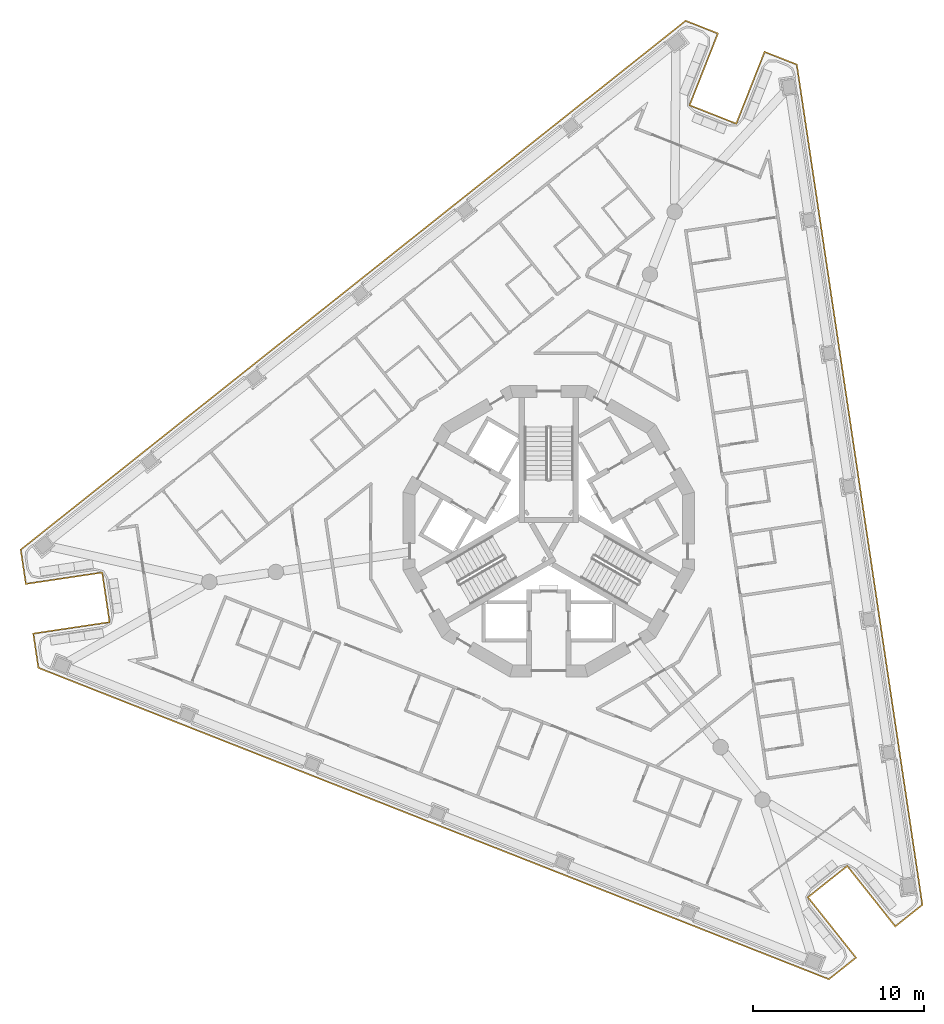
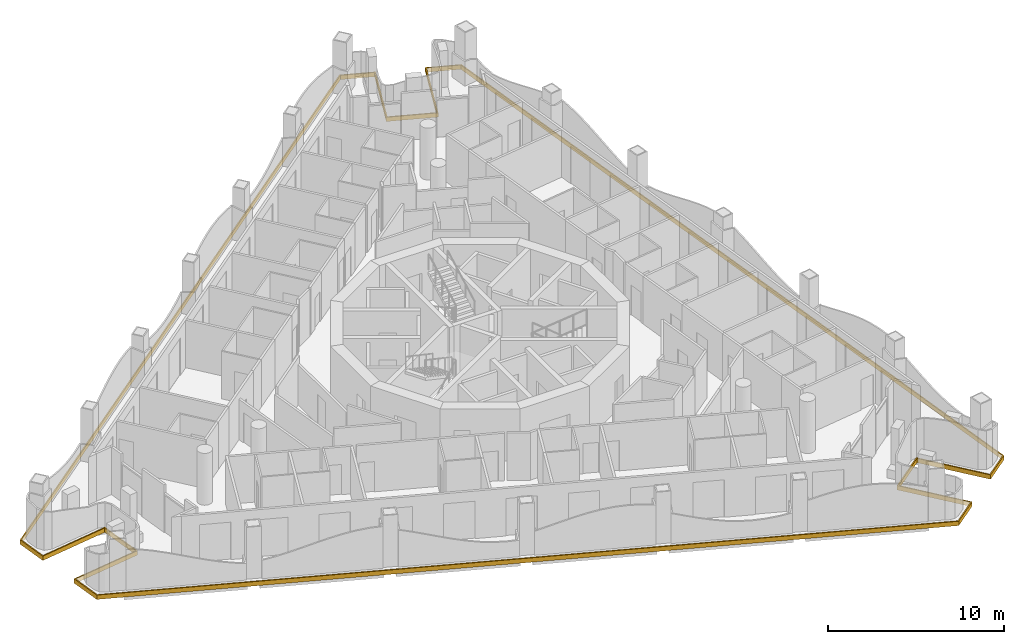
# One storey, part 13 of 17: 1 covering.
"""IFC4 building model written with IfcOpenShell, lengths in metres."""

from ifc_helpers import new_model, si_unit, direction, frame, origin, place, context, subcontext, project, spatial, polyline, outline, extrude, material, layer, layer_set, type_object, element, save


model = new_model("IFC4")

# Units and contexts
model_context = context("Model", 3, precision=1e-05, world=origin(), true_north=direction((0.0, 1.0)))
body_context = subcontext(model_context, "Body", "Model", "MODEL_VIEW")
ifc_project = project(units=[si_unit("LENGTHUNIT", "METRE"), si_unit("AREAUNIT", "SQUARE_METRE"), si_unit("VOLUMEUNIT", "CUBIC_METRE"), si_unit("PLANEANGLEUNIT", "RADIAN"), si_unit("MASSUNIT", "GRAM", prefix="KILO")], contexts=[model_context])

# Site, building, storey
site_placement = place(None, origin())
site = spatial("IfcSite", under=ifc_project, at=site_placement, CompositionType="ELEMENT")
building_placement = place(site_placement, origin())
building = spatial("IfcBuilding", under=site, at=building_placement, Name="Trine Commons Tower", CompositionType="ELEMENT")
storey_placement = place(building_placement, frame((0.0, 0.0, 216.0)))
storey = spatial("IfcBuildingStorey", under=building, at=storey_placement, Name="L56", CompositionType="ELEMENT", Elevation=216.0)

# Covering
ifc_material = material(Name="Limestone, honed", Category="masonry")
ifc_layer = layer(ifc_material, 0.074951171875)
ifc_layer_set = layer_set([ifc_layer], Name="Limestone, honed")
covering_type = type_object("IfcCoveringType", Name="Limestone spandrel panel 75", PredefinedType="CLADDING", material=ifc_layer_set)
covering_placement = place(storey_placement, frame((0.0, 0.0, -0.300048828125)))
element("IfcCovering", 1, at=covering_placement, inside=storey, type_object=covering_type, Name="Limestone spandrel panel 6-01", PredefinedType="CLADDING", context=body_context, shape_type="SweptSolid", body=[
    extrude(outline(polyline([(97.397705078125, 42.917236328125), (100.198974609375, 39.3955078125), (101.82861328125, 40.69189453125), (94.498779296875, 89.7373046875), (92.561279296875, 90.50048828125), (90.912109375, 86.313720703125), (88.26025390625, 87.358154296875), (89.90966796875, 91.545166015625), (87.97216796875, 92.308349609375), (49.162353515625, 61.4375), (49.47021484375, 59.378173828125), (53.9208984375, 60.043212890625), (54.342041015625, 57.224609375), (49.891357421875, 56.559326171875), (50.19921875, 54.5), (96.3388671875, 36.324951171875), (97.968505859375, 37.621337890625), (95.167236328125, 41.14306640625), (97.397705078125, 42.917236328125)]), holes=[polyline([(92.603515625, 90.4033203125), (94.430908203125, 89.683349609375), (101.748046875, 40.7236328125), (100.2109375, 39.5009765625), (97.40966796875, 43.022705078125), (95.061767578125, 41.155029296875), (97.86328125, 37.63330078125), (96.325927734375, 36.41064453125), (50.26708984375, 54.5537109375), (49.976806640625, 56.496337890625), (54.42724609375, 57.16162109375), (53.98388671875, 60.12841796875), (49.533203125, 59.46337890625), (49.242919921875, 61.406005859375), (87.98486328125, 92.22265625), (89.812255859375, 91.502685546875), (88.1630859375, 87.31591796875), (90.954345703125, 86.21630859375), (92.603515625, 90.4033203125)])]), origin(), (0.0, 0.0, 1.0), 0.300048828125),
])

save(model, "model.ifc")
